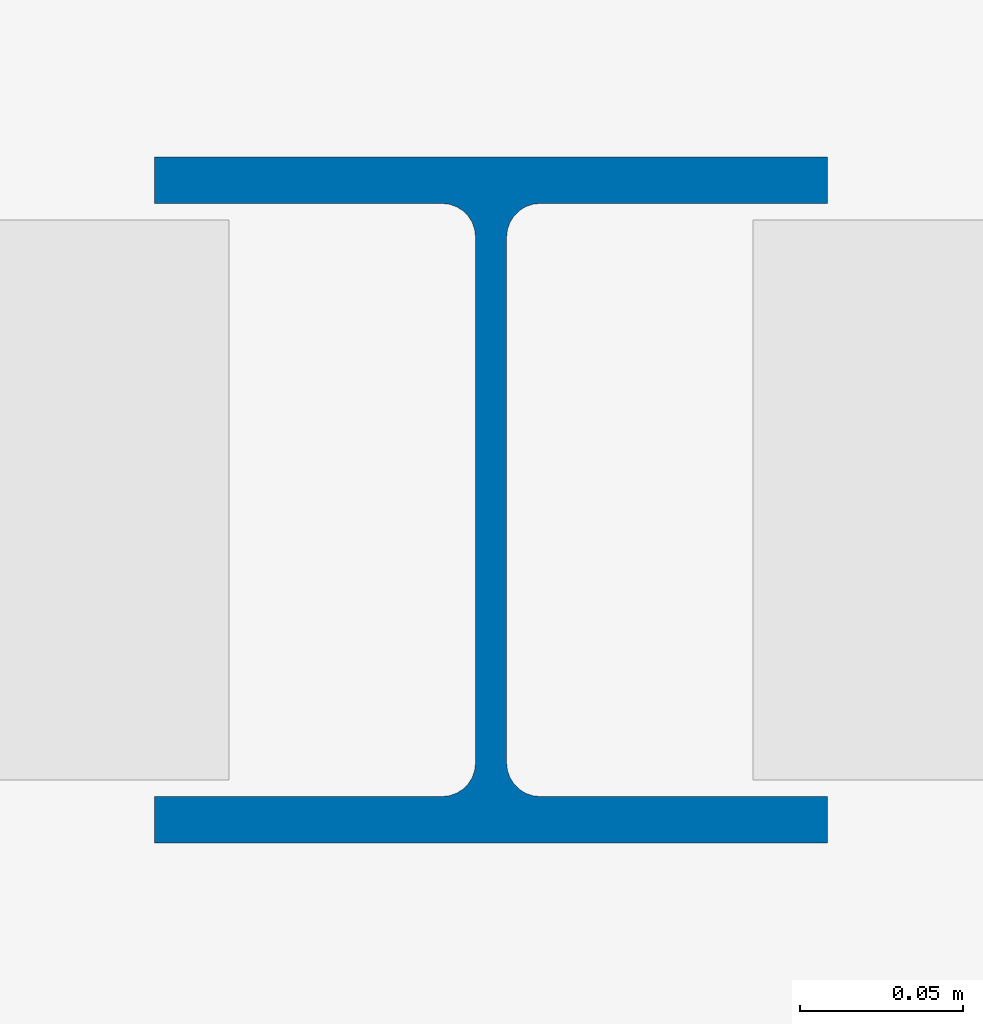
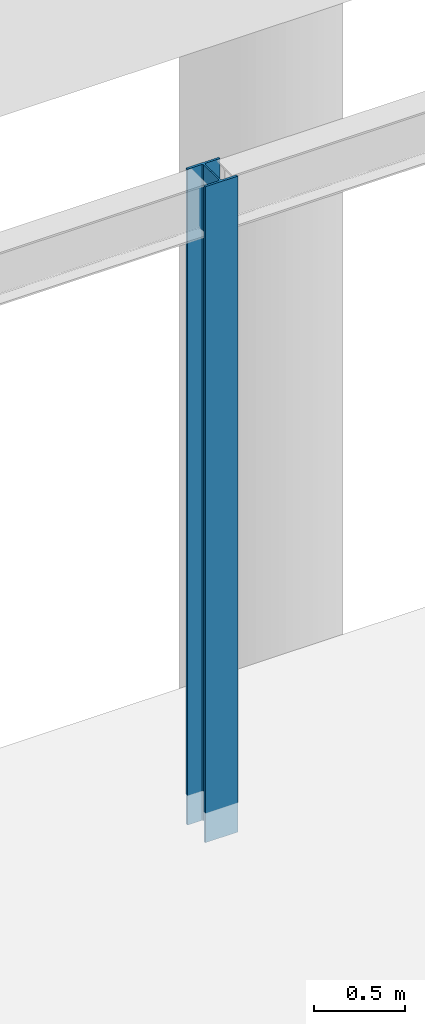
# One storey, part 13 of 142: 1 column.
"""IFC4 building model written with IfcOpenShell, lengths in metres."""

from ifc_helpers import new_model, si_unit, direction, frame, origin, origin_2d, place, context, subcontext, project, spatial, i_section, extrude, material, material_profile, profile_set, type_object, element, save


model = new_model("IFC4")

# Units and contexts
model_context = context("Model", 3, precision=1e-05, world=origin(), true_north=direction((0.0, 1.0)))
body_context = subcontext(model_context, "Body", "Model", "MODEL_VIEW")
ifc_project = project(units=[si_unit("LENGTHUNIT", "METRE"), si_unit("AREAUNIT", "SQUARE_METRE"), si_unit("VOLUMEUNIT", "CUBIC_METRE"), si_unit("PLANEANGLEUNIT", "RADIAN"), si_unit("MASSUNIT", "GRAM", prefix="KILO")], contexts=[model_context])

# Site, building, storey
site_placement = place(None, origin())
site = spatial("IfcSite", under=ifc_project, at=site_placement, CompositionType="ELEMENT")
building_placement = place(site_placement, origin())
building = spatial("IfcBuilding", under=site, at=building_placement, Name="Coralgate Yard Interchange", CompositionType="ELEMENT")
storey_placement = place(building_placement, origin())
storey = spatial("IfcBuildingStorey", under=building, at=storey_placement, Name="L00", CompositionType="ELEMENT", Elevation=0.0)

# Column
ifc_material = material(Name="Structural steel S355J2", Category="steel")
ifc_material_profile = material_profile(ifc_material, i_section(OverallWidth=0.205810546875, OverallDepth=0.209716796875, WebThickness=0.009521484375, FlangeThickness=0.01416015625, FilletRadius=0.01025390625, at=origin_2d()), Name="UC 203x203x60")
ifc_profile_set = profile_set([ifc_material_profile], Name="Structural steel S355J2")
column_type = type_object("IfcColumnType", Name="COL-SC-9", PredefinedType="COLUMN", material=ifc_profile_set)
column_placement = place(storey_placement, frame((120.0, 24.0, -0.199951171875), z_axis=(0.0, 0.0, 1.0), x_axis=(1.0, 0.0, 0.0)))
element("IfcColumn", 1, at=column_placement, inside=storey, type_object=column_type, Name="Courtyard colonnade steel column 7", PredefinedType="COLUMN", context=body_context, shape_type="SweptSolid", body=[
    extrude(i_section(OverallWidth=0.205810546875, OverallDepth=0.209716796875, WebThickness=0.009521484375, FlangeThickness=0.01416015625, FilletRadius=0.01025390625, at=origin_2d()), origin(), (0.0, 0.0, 1.0), 4.39990234375),
])

save(model, "model.ifc")
